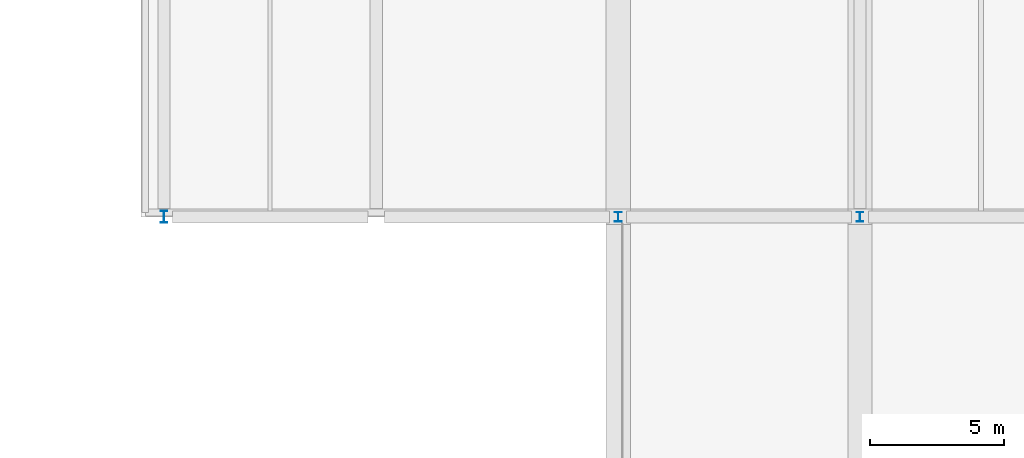
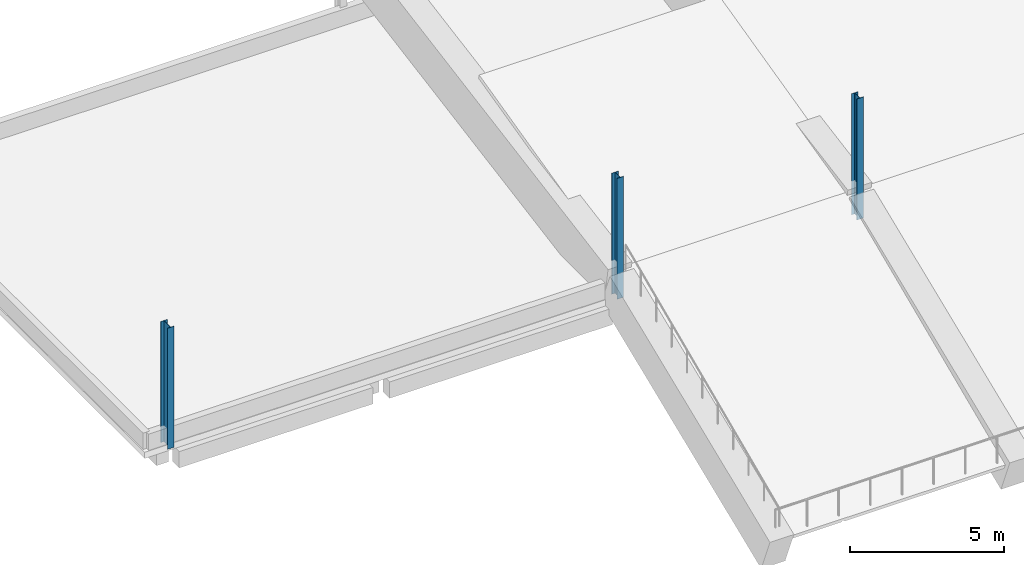
# One storey, part 7 of 66: 3 columns.
"""IFC4 building model written with IfcOpenShell, lengths in metres."""

from ifc_helpers import new_model, si_unit, direction, frame, origin, origin_2d, place, context, subcontext, project, spatial, i_section, extrude, material, material_profile, profile_set, type_object, element, save


model = new_model("IFC4")

# Units and contexts
model_context = context("Model", 3, precision=1e-05, world=origin(), true_north=direction((0.0, 1.0)))
body_context = subcontext(model_context, "Body", "Model", "MODEL_VIEW")
ifc_project = project(units=[si_unit("LENGTHUNIT", "METRE"), si_unit("AREAUNIT", "SQUARE_METRE"), si_unit("VOLUMEUNIT", "CUBIC_METRE"), si_unit("PLANEANGLEUNIT", "RADIAN"), si_unit("MASSUNIT", "GRAM", prefix="KILO"), si_unit("THERMODYNAMICTEMPERATUREUNIT", "KELVIN"), si_unit("POWERUNIT", "WATT")], contexts=[model_context])

# Site, building, storey
site_placement = place(None, origin())
site = spatial("IfcSite", under=ifc_project, at=site_placement, CompositionType="ELEMENT")
building_placement = place(site_placement, origin())
building = spatial("IfcBuilding", under=site, at=building_placement, Name="Sindhuravela Promenade Stadium", CompositionType="ELEMENT")
storey_placement = place(building_placement, frame((0.0, 0.0, 19.199951171875)))
storey = spatial("IfcBuildingStorey", under=building, at=storey_placement, Name="L04", CompositionType="ELEMENT", Elevation=19.199951171875)

# Columns
ifc_material = material(Name="Steel E350 (IS 2062 E350BR)", Category="steel")
ifc_material_profile_1 = material_profile(ifc_material, i_section(OverallWidth=0.25, OverallDepth=0.35009765625, WebThickness=0.010009765625, FlangeThickness=0.01171875, FilletRadius=0.011962890625, at=origin_2d()), Name="ISHB 350")
ifc_profile_set_1 = profile_set([ifc_material_profile_1], Name="Steel E350 (IS 2062 E350BR)")
column_type_1 = type_object("IfcColumnType", Name="ST-CL-HB350", PredefinedType="COLUMN", material=ifc_profile_set_1)
for number, where, z_axis, x_axis, name in (
    (1, (72.0, 135.0, 0.0), (0.0, 0.0, 1.0), (1.0, 0.0, 0.0), "Column SC02 NORTH L04"),
    (2, (81.0, 135.0, 0.0), (0.0, 0.0, 1.0), (1.0, 0.0, 0.0), "Column SC02 NORTH L04"),
):
    element("IfcColumn", number, at=place(storey_placement, frame(where, z_axis=z_axis, x_axis=x_axis)), inside=storey, type_object=column_type_1, Name=name, PredefinedType="COLUMN", context=body_context, shape_type="SweptSolid", body=[
        extrude(i_section(OverallWidth=0.25, OverallDepth=0.35009765625, WebThickness=0.010009765625, FlangeThickness=0.01171875, FilletRadius=0.011962890625, at=origin_2d()), origin(), (0.0, 0.0, 1.0), 4.800048828125),
    ])
ifc_material_profile_2 = material_profile(ifc_material, i_section(OverallWidth=0.25, OverallDepth=0.449951171875, WebThickness=0.01123046875, FlangeThickness=0.013671875, FilletRadius=0.014892578125, at=origin_2d()), Name="ISHB 450")
ifc_profile_set_2 = profile_set([ifc_material_profile_2], Name="Steel E350 (IS 2062 E350BR)")
column_type_2 = type_object("IfcColumnType", Name="ST-CL-HB450", PredefinedType="COLUMN", material=ifc_profile_set_2)
column_placement = place(storey_placement, frame((55.10009765625, 135.0, 0.0), z_axis=(0.0, 0.0, 1.0), x_axis=(1.0, 0.0, 0.0)))
element("IfcColumn", 3, at=column_placement, inside=storey, type_object=column_type_2, Name="Column SC03 NORTH L04", PredefinedType="COLUMN", context=body_context, shape_type="SweptSolid", body=[
    extrude(i_section(OverallWidth=0.25, OverallDepth=0.449951171875, WebThickness=0.01123046875, FlangeThickness=0.013671875, FilletRadius=0.014892578125, at=origin_2d()), origin(), (0.0, 0.0, 1.0), 4.800048828125),
])

save(model, "model.ifc")
